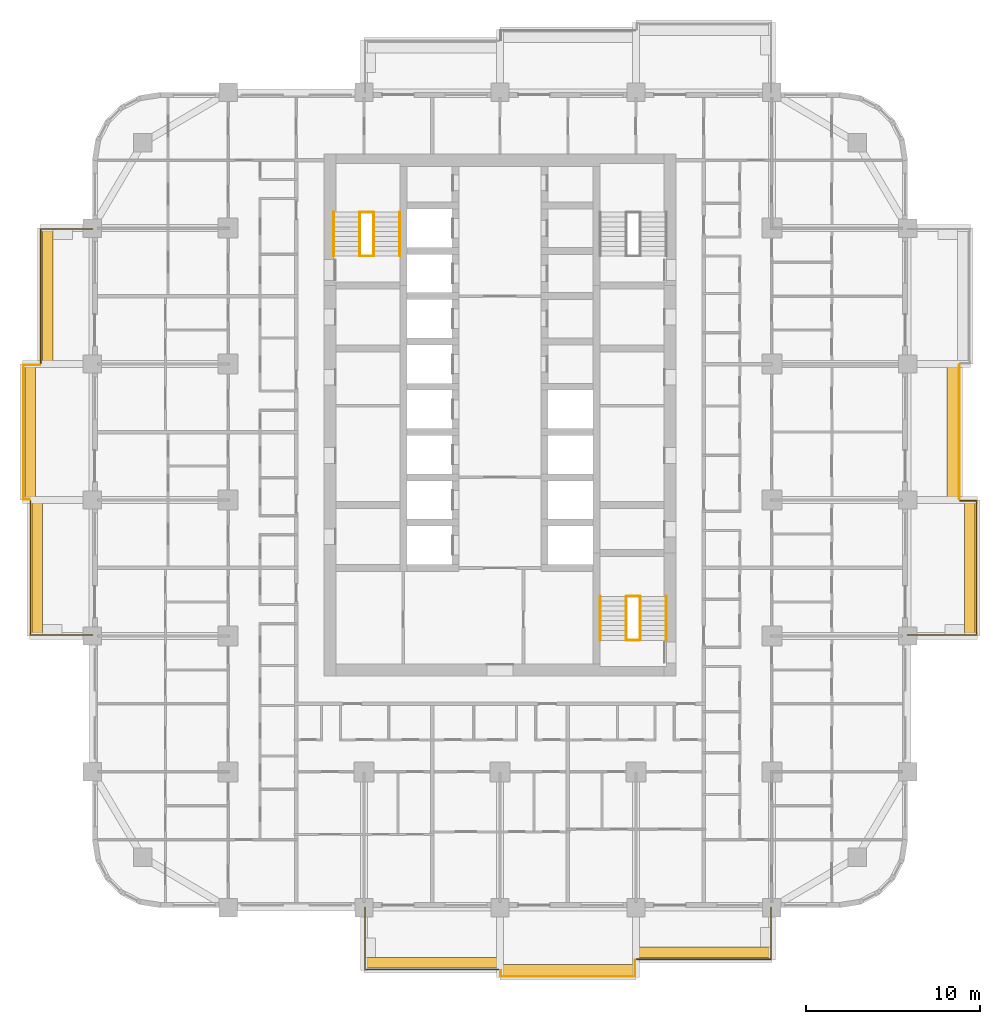
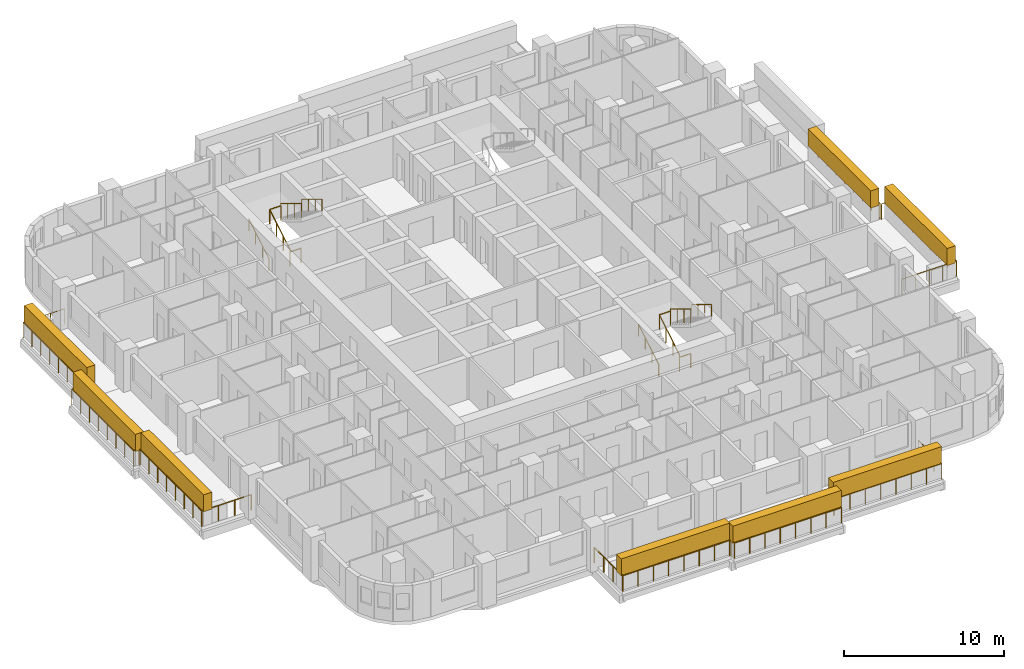
# One storey, part 16 of 17: 20 railings, 8 coverings, 2 elements without a shape of their own.
"""IFC4 building model written with IfcOpenShell, lengths in metres."""

from ifc_helpers import new_model, si_unit, direction, frame, origin, origin_2d, place, context, subcontext, project, spatial, rectangle, circle, extrude, material, layer, layer_set, type_object, element, aggregate, save


model = new_model("IFC4")

# Units and contexts
model_context = context("Model", 3, precision=1e-05, world=origin(), true_north=direction((0.0, 1.0)))
body_context = subcontext(model_context, "Body", "Model", "MODEL_VIEW")
ifc_project = project(units=[si_unit("LENGTHUNIT", "METRE"), si_unit("AREAUNIT", "SQUARE_METRE"), si_unit("VOLUMEUNIT", "CUBIC_METRE"), si_unit("PLANEANGLEUNIT", "RADIAN"), si_unit("MASSUNIT", "GRAM", prefix="KILO")], contexts=[model_context])

# Site, building, storey
site_placement = place(None, origin())
site = spatial("IfcSite", under=ifc_project, at=site_placement, CompositionType="ELEMENT")
building_placement = place(site_placement, origin())
building = spatial("IfcBuilding", under=site, at=building_placement, Name="Ludao Terraces", CompositionType="ELEMENT")
storey_placement = place(building_placement, frame((0.0, 0.0, 39.89990234375)))
storey = spatial("IfcBuildingStorey", under=building, at=storey_placement, Name="L10", CompositionType="ELEMENT", Elevation=39.89990234375)

# Railings
ifc_material_1 = material(Name="Stainless steel 304", Category="steel")
railing_type_1 = type_object("IfcRailingType", Name="ENV Balcony glass guard 1200", PredefinedType="GUARDRAIL", material=ifc_material_1)
railing_1_placement = place(storey_placement, frame((77.25, 41.60009765625, 0.0)))
element("IfcRailing", 1, at=railing_1_placement, inside=storey, type_object=railing_type_1, Name="Balcony guard L10 S2", PredefinedType="GUARDRAIL", context=body_context, shape_type="SweptSolid", body=[
    extrude(circle(Radius=0.02392578125, at=origin_2d()), frame((0.0, 0.0, 1.17578125), z_axis=(0.0, -1.0, 0.0), x_axis=(1.0, 0.0, 0.0)), (0.0, 0.0, 1.0), 3.550048828125),
    extrude(circle(Radius=0.02392578125, at=origin_2d()), frame((0.0, -3.550048828125, 1.17578125), z_axis=(1.0, 0.0, 0.0), x_axis=(0.0, 1.0, 0.0)), (0.0, 0.0, 1.0), 7.699951171875),
    extrude(circle(Radius=0.02099609375, at=origin_2d()), origin(), (0.0, 0.0, 1.0), 1.15185546875),
    extrude(circle(Radius=0.02099609375, at=origin_2d()), frame((0.0, -1.183349609375, 0.0)), (0.0, 0.0, 1.0), 1.15185546875),
    extrude(circle(Radius=0.02099609375, at=origin_2d()), frame((0.0, -2.36669921875, 0.0)), (0.0, 0.0, 1.0), 1.15185546875),
    extrude(circle(Radius=0.02099609375, at=origin_2d()), frame((0.0, -3.550048828125, 0.0)), (0.0, 0.0, 1.0), 1.15185546875),
    extrude(circle(Radius=0.02099609375, at=origin_2d()), frame((1.10009765625, -3.550048828125, 0.0)), (0.0, 0.0, 1.0), 1.15185546875),
    extrude(circle(Radius=0.02099609375, at=origin_2d()), frame((2.199951171875, -3.550048828125, 0.0)), (0.0, 0.0, 1.0), 1.15185546875),
    extrude(circle(Radius=0.02099609375, at=origin_2d()), frame((3.300048828125, -3.550048828125, 0.0)), (0.0, 0.0, 1.0), 1.15185546875),
    extrude(circle(Radius=0.02099609375, at=origin_2d()), frame((4.39990234375, -3.550048828125, 0.0)), (0.0, 0.0, 1.0), 1.15185546875),
    extrude(circle(Radius=0.02099609375, at=origin_2d()), frame((5.5, -3.550048828125, 0.0)), (0.0, 0.0, 1.0), 1.15185546875),
    extrude(circle(Radius=0.02099609375, at=origin_2d()), frame((6.599853515625, -3.550048828125, 0.0)), (0.0, 0.0, 1.0), 1.15185546875),
    extrude(circle(Radius=0.02099609375, at=origin_2d()), frame((7.699951171875, -3.550048828125, 0.0)), (0.0, 0.0, 1.0), 1.15185546875),
])
railing_2_placement = place(storey_placement, frame((85.050048828125, 38.0, 0.0)))
element("IfcRailing", 2, at=railing_2_placement, inside=storey, type_object=railing_type_1, Name="Balcony guard L10 S3", PredefinedType="GUARDRAIL", context=body_context, shape_type="SweptSolid", body=[
    extrude(circle(Radius=0.02392578125, at=origin_2d()), frame((0.0, 0.0, 1.17578125), z_axis=(0.0, -1.0, 0.0), x_axis=(1.0, 0.0, 0.0)), (0.0, 0.0, 1.0), 0.35009765625),
    extrude(circle(Radius=0.02392578125, at=origin_2d()), frame((0.0, -0.35009765625, 1.17578125), z_axis=(1.0, 0.0, 0.0), x_axis=(0.0, 1.0, 0.0)), (0.0, 0.0, 1.0), 7.699951171875),
    extrude(circle(Radius=0.02392578125, at=origin_2d()), frame((7.699951171875, -0.35009765625, 1.17578125), z_axis=(0.0, 1.0, 0.0), x_axis=(-1.0, 0.0, 0.0)), (0.0, 0.0, 1.0), 0.9501953125),
    extrude(circle(Radius=0.02099609375, at=origin_2d()), origin(), (0.0, 0.0, 1.0), 1.15185546875),
    extrude(circle(Radius=0.02099609375, at=origin_2d()), frame((0.0, -0.35009765625, 0.0)), (0.0, 0.0, 1.0), 1.15185546875),
    extrude(circle(Radius=0.02099609375, at=origin_2d()), frame((1.10009765625, -0.35009765625, 0.0)), (0.0, 0.0, 1.0), 1.15185546875),
    extrude(circle(Radius=0.02099609375, at=origin_2d()), frame((2.199951171875, -0.35009765625, 0.0)), (0.0, 0.0, 1.0), 1.15185546875),
    extrude(circle(Radius=0.02099609375, at=origin_2d()), frame((3.300048828125, -0.35009765625, 0.0)), (0.0, 0.0, 1.0), 1.15185546875),
    extrude(circle(Radius=0.02099609375, at=origin_2d()), frame((4.39990234375, -0.35009765625, 0.0)), (0.0, 0.0, 1.0), 1.15185546875),
    extrude(circle(Radius=0.02099609375, at=origin_2d()), frame((5.5, -0.35009765625, 0.0)), (0.0, 0.0, 1.0), 1.15185546875),
    extrude(circle(Radius=0.02099609375, at=origin_2d()), frame((6.599853515625, -0.35009765625, 0.0)), (0.0, 0.0, 1.0), 1.15185546875),
    extrude(circle(Radius=0.02099609375, at=origin_2d()), frame((7.699951171875, -0.35009765625, 0.0)), (0.0, 0.0, 1.0), 1.15185546875),
    extrude(circle(Radius=0.02099609375, at=origin_2d()), frame((7.699951171875, 0.60009765625, 0.0)), (0.0, 0.0, 1.0), 1.15185546875),
])
railing_3_placement = place(storey_placement, frame((92.85009765625, 38.64990234375, 0.0)))
element("IfcRailing", 3, at=railing_3_placement, inside=storey, type_object=railing_type_1, Name="Balcony guard L10 S4", PredefinedType="GUARDRAIL", context=body_context, shape_type="SweptSolid", body=[
    extrude(circle(Radius=0.02392578125, at=origin_2d()), frame((0.0, 0.0, 1.17578125), z_axis=(1.0, 0.0, 0.0), x_axis=(0.0, 1.0, 0.0)), (0.0, 0.0, 1.0), 7.699951171875),
    extrude(circle(Radius=0.02392578125, at=origin_2d()), frame((7.699951171875, 0.0, 1.17578125), z_axis=(0.0, 1.0, 0.0), x_axis=(-1.0, 0.0, 0.0)), (0.0, 0.0, 1.0), 2.9501953125),
    extrude(circle(Radius=0.02099609375, at=origin_2d()), origin(), (0.0, 0.0, 1.0), 1.15185546875),
    extrude(circle(Radius=0.02099609375, at=origin_2d()), frame((1.10009765625, 0.0, 0.0)), (0.0, 0.0, 1.0), 1.15185546875),
    extrude(circle(Radius=0.02099609375, at=origin_2d()), frame((2.199951171875, 0.0, 0.0)), (0.0, 0.0, 1.0), 1.15185546875),
    extrude(circle(Radius=0.02099609375, at=origin_2d()), frame((3.300048828125, 0.0, 0.0)), (0.0, 0.0, 1.0), 1.15185546875),
    extrude(circle(Radius=0.02099609375, at=origin_2d()), frame((4.39990234375, 0.0, 0.0)), (0.0, 0.0, 1.0), 1.15185546875),
    extrude(circle(Radius=0.02099609375, at=origin_2d()), frame((5.5, 0.0, 0.0)), (0.0, 0.0, 1.0), 1.15185546875),
    extrude(circle(Radius=0.02099609375, at=origin_2d()), frame((6.599853515625, 0.0, 0.0)), (0.0, 0.0, 1.0), 1.15185546875),
    extrude(circle(Radius=0.02099609375, at=origin_2d()), frame((7.699951171875, 0.0, 0.0)), (0.0, 0.0, 1.0), 1.15185546875),
    extrude(circle(Radius=0.02099609375, at=origin_2d()), frame((7.699951171875, 0.9833984375, 0.0)), (0.0, 0.0, 1.0), 1.15185546875),
    extrude(circle(Radius=0.02099609375, at=origin_2d()), frame((7.699951171875, 1.966796875, 0.0)), (0.0, 0.0, 1.0), 1.15185546875),
    extrude(circle(Radius=0.02099609375, at=origin_2d()), frame((7.699951171875, 2.9501953125, 0.0)), (0.0, 0.0, 1.0), 1.15185546875),
])
railing_4_placement = place(storey_placement, frame((108.39990234375, 57.25, 0.0)))
element("IfcRailing", 4, at=railing_4_placement, inside=storey, type_object=railing_type_1, Name="Balcony guard L10 E2", PredefinedType="GUARDRAIL", context=body_context, shape_type="SweptSolid", body=[
    extrude(circle(Radius=0.02392578125, at=origin_2d()), frame((0.0, 0.0, 1.17578125), z_axis=(1.0, 0.0, 0.0), x_axis=(0.0, 1.0, 0.0)), (0.0, 0.0, 1.0), 3.9501953125),
    extrude(circle(Radius=0.02392578125, at=origin_2d()), frame((3.9501953125, 0.0, 1.17578125), z_axis=(0.0, 1.0, 0.0), x_axis=(-1.0, 0.0, 0.0)), (0.0, 0.0, 1.0), 7.699951171875),
    extrude(circle(Radius=0.02392578125, at=origin_2d()), frame((3.9501953125, 7.699951171875, 1.17578125), z_axis=(-1.0, 0.0, 0.0), x_axis=(0.0, -1.0, 0.0)), (0.0, 0.0, 1.0), 0.9501953125),
    extrude(circle(Radius=0.02099609375, at=origin_2d()), origin(), (0.0, 0.0, 1.0), 1.15185546875),
    extrude(circle(Radius=0.02099609375, at=origin_2d()), frame((0.987548828125, 0.0, 0.0)), (0.0, 0.0, 1.0), 1.15185546875),
    extrude(circle(Radius=0.02099609375, at=origin_2d()), frame((1.97509765625, 0.0, 0.0)), (0.0, 0.0, 1.0), 1.15185546875),
    extrude(circle(Radius=0.02099609375, at=origin_2d()), frame((2.962646484375, 0.0, 0.0)), (0.0, 0.0, 1.0), 1.15185546875),
    extrude(circle(Radius=0.02099609375, at=origin_2d()), frame((3.9501953125, 0.0, 0.0)), (0.0, 0.0, 1.0), 1.15185546875),
    extrude(circle(Radius=0.02099609375, at=origin_2d()), frame((3.9501953125, 1.10009765625, 0.0)), (0.0, 0.0, 1.0), 1.15185546875),
    extrude(circle(Radius=0.02099609375, at=origin_2d()), frame((3.9501953125, 2.199951171875, 0.0)), (0.0, 0.0, 1.0), 1.15185546875),
    extrude(circle(Radius=0.02099609375, at=origin_2d()), frame((3.9501953125, 3.300048828125, 0.0)), (0.0, 0.0, 1.0), 1.15185546875),
    extrude(circle(Radius=0.02099609375, at=origin_2d()), frame((3.9501953125, 4.39990234375, 0.0)), (0.0, 0.0, 1.0), 1.15185546875),
    extrude(circle(Radius=0.02099609375, at=origin_2d()), frame((3.9501953125, 5.5, 0.0)), (0.0, 0.0, 1.0), 1.15185546875),
    extrude(circle(Radius=0.02099609375, at=origin_2d()), frame((3.9501953125, 6.599853515625, 0.0)), (0.0, 0.0, 1.0), 1.15185546875),
    extrude(circle(Radius=0.02099609375, at=origin_2d()), frame((3.9501953125, 7.699951171875, 0.0)), (0.0, 0.0, 1.0), 1.15185546875),
    extrude(circle(Radius=0.02099609375, at=origin_2d()), frame((3.0, 7.699951171875, 0.0)), (0.0, 0.0, 1.0), 1.15185546875),
])
railing_5_placement = place(storey_placement, frame((111.35009765625, 65.050048828125, 0.0)))
element("IfcRailing", 5, at=railing_5_placement, inside=storey, type_object=railing_type_1, Name="Balcony guard L10 E3", PredefinedType="GUARDRAIL", context=body_context, shape_type="SweptSolid", body=[
    extrude(circle(Radius=0.02392578125, at=origin_2d()), frame((0.0, 0.0, 1.17578125), z_axis=(0.0, 1.0, 0.0), x_axis=(-1.0, 0.0, 0.0)), (0.0, 0.0, 1.0), 7.699951171875),
    extrude(circle(Radius=0.02099609375, at=origin_2d()), origin(), (0.0, 0.0, 1.0), 1.15185546875),
    extrude(circle(Radius=0.02099609375, at=origin_2d()), frame((0.0, 1.10009765625, 0.0)), (0.0, 0.0, 1.0), 1.15185546875),
    extrude(circle(Radius=0.02099609375, at=origin_2d()), frame((0.0, 2.199951171875, 0.0)), (0.0, 0.0, 1.0), 1.15185546875),
    extrude(circle(Radius=0.02099609375, at=origin_2d()), frame((0.0, 3.300048828125, 0.0)), (0.0, 0.0, 1.0), 1.15185546875),
    extrude(circle(Radius=0.02099609375, at=origin_2d()), frame((0.0, 4.39990234375, 0.0)), (0.0, 0.0, 1.0), 1.15185546875),
    extrude(circle(Radius=0.02099609375, at=origin_2d()), frame((0.0, 5.5, 0.0)), (0.0, 0.0, 1.0), 1.15185546875),
    extrude(circle(Radius=0.02099609375, at=origin_2d()), frame((0.0, 6.599853515625, 0.0)), (0.0, 0.0, 1.0), 1.15185546875),
    extrude(circle(Radius=0.02099609375, at=origin_2d()), frame((0.0, 7.699951171875, 0.0)), (0.0, 0.0, 1.0), 1.15185546875),
])
railing_6_placement = place(storey_placement, frame((61.60009765625, 57.25, 0.0)))
element("IfcRailing", 6, at=railing_6_placement, inside=storey, type_object=railing_type_1, Name="Balcony guard L10 W2", PredefinedType="GUARDRAIL", context=body_context, shape_type="SweptSolid", body=[
    extrude(circle(Radius=0.02392578125, at=origin_2d()), frame((0.0, 0.0, 1.17578125), z_axis=(-1.0, 0.0, 0.0), x_axis=(0.0, -1.0, 0.0)), (0.0, 0.0, 1.0), 3.550048828125),
    extrude(circle(Radius=0.02392578125, at=origin_2d()), frame((-3.550048828125, 0.0, 1.17578125), z_axis=(0.0, 1.0, 0.0), x_axis=(-1.0, 0.0, 0.0)), (0.0, 0.0, 1.0), 7.699951171875),
    extrude(circle(Radius=0.02099609375, at=origin_2d()), origin(), (0.0, 0.0, 1.0), 1.15185546875),
    extrude(circle(Radius=0.02099609375, at=origin_2d()), frame((-1.183349609375, 0.0, 0.0)), (0.0, 0.0, 1.0), 1.15185546875),
    extrude(circle(Radius=0.02099609375, at=origin_2d()), frame((-2.36669921875, 0.0, 0.0)), (0.0, 0.0, 1.0), 1.15185546875),
    extrude(circle(Radius=0.02099609375, at=origin_2d()), frame((-3.550048828125, 0.0, 0.0)), (0.0, 0.0, 1.0), 1.15185546875),
    extrude(circle(Radius=0.02099609375, at=origin_2d()), frame((-3.550048828125, 1.10009765625, 0.0)), (0.0, 0.0, 1.0), 1.15185546875),
    extrude(circle(Radius=0.02099609375, at=origin_2d()), frame((-3.550048828125, 2.199951171875, 0.0)), (0.0, 0.0, 1.0), 1.15185546875),
    extrude(circle(Radius=0.02099609375, at=origin_2d()), frame((-3.550048828125, 3.300048828125, 0.0)), (0.0, 0.0, 1.0), 1.15185546875),
    extrude(circle(Radius=0.02099609375, at=origin_2d()), frame((-3.550048828125, 4.39990234375, 0.0)), (0.0, 0.0, 1.0), 1.15185546875),
    extrude(circle(Radius=0.02099609375, at=origin_2d()), frame((-3.550048828125, 5.5, 0.0)), (0.0, 0.0, 1.0), 1.15185546875),
    extrude(circle(Radius=0.02099609375, at=origin_2d()), frame((-3.550048828125, 6.599853515625, 0.0)), (0.0, 0.0, 1.0), 1.15185546875),
    extrude(circle(Radius=0.02099609375, at=origin_2d()), frame((-3.550048828125, 7.699951171875, 0.0)), (0.0, 0.0, 1.0), 1.15185546875),
])
railing_7_placement = place(storey_placement, frame((58.0, 65.050048828125, 0.0)))
element("IfcRailing", 7, at=railing_7_placement, inside=storey, type_object=railing_type_1, Name="Balcony guard L10 W3", PredefinedType="GUARDRAIL", context=body_context, shape_type="SweptSolid", body=[
    extrude(circle(Radius=0.02392578125, at=origin_2d()), frame((0.0, 0.0, 1.17578125), z_axis=(-1.0, 0.0, 0.0), x_axis=(0.0, -1.0, 0.0)), (0.0, 0.0, 1.0), 0.35009765625),
    extrude(circle(Radius=0.02392578125, at=origin_2d()), frame((-0.35009765625, 0.0, 1.17578125), z_axis=(0.0, 1.0, 0.0), x_axis=(-1.0, 0.0, 0.0)), (0.0, 0.0, 1.0), 7.699951171875),
    extrude(circle(Radius=0.02392578125, at=origin_2d()), frame((-0.35009765625, 7.699951171875, 1.17578125), z_axis=(1.0, 0.0, 0.0), x_axis=(0.0, 1.0, 0.0)), (0.0, 0.0, 1.0), 0.9501953125),
    extrude(circle(Radius=0.02099609375, at=origin_2d()), origin(), (0.0, 0.0, 1.0), 1.15185546875),
    extrude(circle(Radius=0.02099609375, at=origin_2d()), frame((-0.35009765625, 0.0, 0.0)), (0.0, 0.0, 1.0), 1.15185546875),
    extrude(circle(Radius=0.02099609375, at=origin_2d()), frame((-0.35009765625, 1.10009765625, 0.0)), (0.0, 0.0, 1.0), 1.15185546875),
    extrude(circle(Radius=0.02099609375, at=origin_2d()), frame((-0.35009765625, 2.199951171875, 0.0)), (0.0, 0.0, 1.0), 1.15185546875),
    extrude(circle(Radius=0.02099609375, at=origin_2d()), frame((-0.35009765625, 3.300048828125, 0.0)), (0.0, 0.0, 1.0), 1.15185546875),
    extrude(circle(Radius=0.02099609375, at=origin_2d()), frame((-0.35009765625, 4.39990234375, 0.0)), (0.0, 0.0, 1.0), 1.15185546875),
    extrude(circle(Radius=0.02099609375, at=origin_2d()), frame((-0.35009765625, 5.5, 0.0)), (0.0, 0.0, 1.0), 1.15185546875),
    extrude(circle(Radius=0.02099609375, at=origin_2d()), frame((-0.35009765625, 6.599853515625, 0.0)), (0.0, 0.0, 1.0), 1.15185546875),
    extrude(circle(Radius=0.02099609375, at=origin_2d()), frame((-0.35009765625, 7.699951171875, 0.0)), (0.0, 0.0, 1.0), 1.15185546875),
    extrude(circle(Radius=0.02099609375, at=origin_2d()), frame((0.60009765625, 7.699951171875, 0.0)), (0.0, 0.0, 1.0), 1.15185546875),
])
railing_8_placement = place(storey_placement, frame((58.64990234375, 72.85009765625, 0.0)))
element("IfcRailing", 8, at=railing_8_placement, inside=storey, type_object=railing_type_1, Name="Balcony guard L10 W4", PredefinedType="GUARDRAIL", context=body_context, shape_type="SweptSolid", body=[
    extrude(circle(Radius=0.02392578125, at=origin_2d()), frame((0.0, 0.0, 1.17578125), z_axis=(0.0, 1.0, 0.0), x_axis=(-1.0, 0.0, 0.0)), (0.0, 0.0, 1.0), 7.699951171875),
    extrude(circle(Radius=0.02392578125, at=origin_2d()), frame((0.0, 7.699951171875, 1.17578125), z_axis=(1.0, 0.0, 0.0), x_axis=(0.0, 1.0, 0.0)), (0.0, 0.0, 1.0), 2.9501953125),
    extrude(circle(Radius=0.02099609375, at=origin_2d()), origin(), (0.0, 0.0, 1.0), 1.15185546875),
    extrude(circle(Radius=0.02099609375, at=origin_2d()), frame((0.0, 1.10009765625, 0.0)), (0.0, 0.0, 1.0), 1.15185546875),
    extrude(circle(Radius=0.02099609375, at=origin_2d()), frame((0.0, 2.199951171875, 0.0)), (0.0, 0.0, 1.0), 1.15185546875),
    extrude(circle(Radius=0.02099609375, at=origin_2d()), frame((0.0, 3.300048828125, 0.0)), (0.0, 0.0, 1.0), 1.15185546875),
    extrude(circle(Radius=0.02099609375, at=origin_2d()), frame((0.0, 4.39990234375, 0.0)), (0.0, 0.0, 1.0), 1.15185546875),
    extrude(circle(Radius=0.02099609375, at=origin_2d()), frame((0.0, 5.5, 0.0)), (0.0, 0.0, 1.0), 1.15185546875),
    extrude(circle(Radius=0.02099609375, at=origin_2d()), frame((0.0, 6.599853515625, 0.0)), (0.0, 0.0, 1.0), 1.15185546875),
    extrude(circle(Radius=0.02099609375, at=origin_2d()), frame((0.0, 7.699951171875, 0.0)), (0.0, 0.0, 1.0), 1.15185546875),
    extrude(circle(Radius=0.02099609375, at=origin_2d()), frame((0.9833984375, 7.699951171875, 0.0)), (0.0, 0.0, 1.0), 1.15185546875),
    extrude(circle(Radius=0.02099609375, at=origin_2d()), frame((1.966796875, 7.699951171875, 0.0)), (0.0, 0.0, 1.0), 1.15185546875),
    extrude(circle(Radius=0.02099609375, at=origin_2d()), frame((2.9501953125, 7.699951171875, 0.0)), (0.0, 0.0, 1.0), 1.15185546875),
])

# Coverings
ifc_material_2 = material(Name="Planting")
ifc_layer = layer(ifc_material_2, 0.60009765625)
ifc_layer_set = layer_set([ifc_layer], Name="ENV Planting hedge 600x1300")
covering_type = type_object("IfcCoveringType", Name="ENV Planting hedge 600x1300", PredefinedType="USERDEFINED", material=ifc_layer_set)
for number, where, z_axis, x_axis, name in (
    (9, (81.10009765625, 38.449951171875, 1.10009765625), (0.0, 0.0, 1.0), (1.0, 0.0, 0.0), "Planting hedge L10-S2"),
    (10, (88.89990234375, 38.050048828125, 1.10009765625), (0.0, 0.0, 1.0), (1.0, 0.0, 0.0), "Planting hedge L10-S3"),
    (11, (96.699951171875, 39.050048828125, 1.10009765625), (0.0, 0.0, 1.0), (1.0, 0.0, 0.0), "Planting hedge L10-S4"),
):
    element("IfcCovering", number, at=place(storey_placement, frame(where, z_axis=z_axis, x_axis=x_axis)), inside=storey, type_object=covering_type, Name=name, ObjectType="PLANTING", PredefinedType="USERDEFINED", context=body_context, shape_type="SweptSolid", body=[
        extrude(rectangle(XDim=7.800048828125, YDim=0.60009765625, at=origin_2d()), origin(), (0.0, 0.0, 1.0), 1.300048828125),
    ])
for number, where, z_axis, x_axis, name in (
    (12, (111.949951171875, 61.10009765625, 1.10009765625), (0.0, 0.0, 1.0), (1.0, 0.0, 0.0), "Planting hedge L10-E2"),
    (13, (110.949951171875, 68.89990234375, 1.10009765625), (0.0, 0.0, 1.0), (1.0, 0.0, 0.0), "Planting hedge L10-E3"),
    (14, (58.449951171875, 61.10009765625, 1.10009765625), (0.0, 0.0, 1.0), (1.0, 0.0, 0.0), "Planting hedge L10-W2"),
    (15, (58.050048828125, 68.89990234375, 1.10009765625), (0.0, 0.0, 1.0), (1.0, 0.0, 0.0), "Planting hedge L10-W3"),
    (16, (59.050048828125, 76.699951171875, 1.10009765625), (0.0, 0.0, 1.0), (1.0, 0.0, 0.0), "Planting hedge L10-W4"),
):
    element("IfcCovering", number, at=place(storey_placement, frame(where, z_axis=z_axis, x_axis=x_axis)), inside=storey, type_object=covering_type, Name=name, ObjectType="PLANTING", PredefinedType="USERDEFINED", context=body_context, shape_type="SweptSolid", body=[
        extrude(rectangle(XDim=0.60009765625, YDim=7.800048828125, at=origin_2d()), origin(), (0.0, 0.0, 1.0), 1.300048828125),
    ])

# Stair, railings
ifc_material_3 = material(Name="Concrete C40", Category="concrete")
stair_type = type_object("IfcStairType", Name="INT Stair", PredefinedType="HALF_TURN_STAIR", material=ifc_material_3)
stair_1_placement = place(storey_placement, origin())
stair_1 = element("IfcStair", 17, at=stair_1_placement, inside=storey, type_object=stair_type, Name="EXIT STAIR 1", PredefinedType="HALF_TURN_STAIR")
railing_type_2 = type_object("IfcRailingType", Name="INT Stair guard 1100", PredefinedType="GUARDRAIL", material=ifc_material_1)
railing_9_placement = place(storey_placement, frame((76.949951171875, 79.0, 0.170166015625)))
railing_9 = element("IfcRailing", 18, at=railing_9_placement, type_object=railing_type_2, Name="ST-L10-S1-R1G", PredefinedType="GUARDRAIL", context=body_context, shape_type="SweptSolid", body=[
    extrude(circle(Radius=0.02392578125, at=origin_2d()), frame((0.0, 0.0, 1.076171875), z_axis=(0.0, 0.85478489116, 0.518982456201), x_axis=(-1.0, 0.0, 0.0)), (0.0, 0.0, 1.0), 2.9482421875),
    extrude(circle(Radius=0.02099609375, at=origin_2d()), origin(), (0.0, 0.0, 1.0), 1.052001953125),
    extrude(circle(Radius=0.02099609375, at=origin_2d()), frame((0.0, 0.840087890625, 0.510009765625)), (0.0, 0.0, 1.0), 1.052001953125),
    extrude(circle(Radius=0.02099609375, at=origin_2d()), frame((0.0, 1.679931640625, 1.02001953125)), (0.0, 0.0, 1.0), 1.052001953125),
    extrude(circle(Radius=0.02099609375, at=origin_2d()), frame((0.0, 2.52001953125, 1.530029296875)), (0.0, 0.0, 1.0), 1.052001953125),
])
railing_10_placement = place(storey_placement, frame((77.75, 81.52001953125, 1.8701171875)))
railing_10 = element("IfcRailing", 19, at=railing_10_placement, type_object=railing_type_2, Name="ST-L10-S1-R2G", PredefinedType="GUARDRAIL", context=body_context, shape_type="SweptSolid", body=[
    extrude(circle(Radius=0.02392578125, at=origin_2d()), frame((0.0, 0.0, 1.076171875), z_axis=(0.0, -0.85478489116, 0.518982456201), x_axis=(1.0, 0.0, 0.0)), (0.0, 0.0, 1.0), 2.9482421875),
    extrude(circle(Radius=0.02099609375, at=origin_2d()), origin(), (0.0, 0.0, 1.0), 1.052001953125),
    extrude(circle(Radius=0.02099609375, at=origin_2d()), frame((0.0, -0.840087890625, 0.510009765625)), (0.0, 0.0, 1.0), 1.052001953125),
    extrude(circle(Radius=0.02099609375, at=origin_2d()), frame((0.0, -1.679931640625, 1.02001953125)), (0.0, 0.0, 1.0), 1.052001953125),
    extrude(circle(Radius=0.02099609375, at=origin_2d()), frame((0.0, -2.52001953125, 1.530029296875)), (0.0, 0.0, 1.0), 1.052001953125),
])
railing_11_placement = place(storey_placement, frame((76.949951171875, 81.52001953125, 1.7001953125)))
railing_11 = element("IfcRailing", 20, at=railing_11_placement, type_object=railing_type_2, Name="ST-L10-S1-E1G", PredefinedType="GUARDRAIL", context=body_context, shape_type="SweptSolid", body=[
    extrude(circle(Radius=0.02392578125, at=origin_2d()), frame((0.0, 0.0, 1.076171875), z_axis=(1.0, 0.0, 0.0), x_axis=(0.0, 1.0, 0.0)), (0.0, 0.0, 1.0), 0.800048828125),
    extrude(circle(Radius=0.02099609375, at=origin_2d()), origin(), (0.0, 0.0, 1.0), 1.052001953125),
    extrude(circle(Radius=0.02099609375, at=origin_2d()), frame((0.800048828125, 0.0, 0.0)), (0.0, 0.0, 1.0), 1.052001953125),
])
railing_12_placement = place(storey_placement, frame((76.949951171875, 79.0, 0.0)))
railing_12 = element("IfcRailing", 21, at=railing_12_placement, type_object=railing_type_2, Name="ST-L10-S1-E2G", PredefinedType="GUARDRAIL", context=body_context, shape_type="SweptSolid", body=[
    extrude(circle(Radius=0.02392578125, at=origin_2d()), frame((0.0, 0.0, 1.076171875), z_axis=(1.0, 0.0, 0.0), x_axis=(0.0, 1.0, 0.0)), (0.0, 0.0, 1.0), 0.800048828125),
    extrude(circle(Radius=0.02099609375, at=origin_2d()), origin(), (0.0, 0.0, 1.0), 1.052001953125),
    extrude(circle(Radius=0.02099609375, at=origin_2d()), frame((0.800048828125, 0.0, 0.0)), (0.0, 0.0, 1.0), 1.052001953125),
])

stair_2_placement = place(storey_placement, origin())
stair_2 = element("IfcStair", 22, at=stair_2_placement, inside=storey, type_object=stair_type, Name="EXIT STAIR 3", PredefinedType="HALF_TURN_STAIR")
railing_13_placement = place(storey_placement, frame((92.25, 56.949951171875, 0.170166015625)))
railing_13 = element("IfcRailing", 23, at=railing_13_placement, type_object=railing_type_2, Name="ST-L10-S3-R1G", PredefinedType="GUARDRAIL", context=body_context, shape_type="SweptSolid", body=[
    extrude(circle(Radius=0.02392578125, at=origin_2d()), frame((0.0, 0.0, 1.076171875), z_axis=(0.0, 0.85478489116, 0.518982456201), x_axis=(-1.0, 0.0, 0.0)), (0.0, 0.0, 1.0), 2.9482421875),
    extrude(circle(Radius=0.02099609375, at=origin_2d()), origin(), (0.0, 0.0, 1.0), 1.052001953125),
    extrude(circle(Radius=0.02099609375, at=origin_2d()), frame((0.0, 0.840087890625, 0.510009765625)), (0.0, 0.0, 1.0), 1.052001953125),
    extrude(circle(Radius=0.02099609375, at=origin_2d()), frame((0.0, 1.679931640625, 1.02001953125)), (0.0, 0.0, 1.0), 1.052001953125),
    extrude(circle(Radius=0.02099609375, at=origin_2d()), frame((0.0, 2.52001953125, 1.530029296875)), (0.0, 0.0, 1.0), 1.052001953125),
])
railing_14_placement = place(storey_placement, frame((93.050048828125, 59.469970703125, 1.8701171875)))
railing_14 = element("IfcRailing", 24, at=railing_14_placement, type_object=railing_type_2, Name="ST-L10-S3-R2G", PredefinedType="GUARDRAIL", context=body_context, shape_type="SweptSolid", body=[
    extrude(circle(Radius=0.02392578125, at=origin_2d()), frame((0.0, 0.0, 1.076171875), z_axis=(0.0, -0.85478489116, 0.518982456201), x_axis=(1.0, 0.0, 0.0)), (0.0, 0.0, 1.0), 2.9482421875),
    extrude(circle(Radius=0.02099609375, at=origin_2d()), origin(), (0.0, 0.0, 1.0), 1.052001953125),
    extrude(circle(Radius=0.02099609375, at=origin_2d()), frame((0.0, -0.840087890625, 0.510009765625)), (0.0, 0.0, 1.0), 1.052001953125),
    extrude(circle(Radius=0.02099609375, at=origin_2d()), frame((0.0, -1.679931640625, 1.02001953125)), (0.0, 0.0, 1.0), 1.052001953125),
    extrude(circle(Radius=0.02099609375, at=origin_2d()), frame((0.0, -2.52001953125, 1.530029296875)), (0.0, 0.0, 1.0), 1.052001953125),
])
railing_15_placement = place(storey_placement, frame((92.25, 59.469970703125, 1.7001953125)))
railing_15 = element("IfcRailing", 25, at=railing_15_placement, type_object=railing_type_2, Name="ST-L10-S3-E1G", PredefinedType="GUARDRAIL", context=body_context, shape_type="SweptSolid", body=[
    extrude(circle(Radius=0.02392578125, at=origin_2d()), frame((0.0, 0.0, 1.076171875), z_axis=(1.0, 0.0, 0.0), x_axis=(0.0, 1.0, 0.0)), (0.0, 0.0, 1.0), 0.800048828125),
    extrude(circle(Radius=0.02099609375, at=origin_2d()), origin(), (0.0, 0.0, 1.0), 1.052001953125),
    extrude(circle(Radius=0.02099609375, at=origin_2d()), frame((0.800048828125, 0.0, 0.0)), (0.0, 0.0, 1.0), 1.052001953125),
])
railing_16_placement = place(storey_placement, frame((92.25, 56.949951171875, 0.0)))
railing_16 = element("IfcRailing", 26, at=railing_16_placement, type_object=railing_type_2, Name="ST-L10-S3-E2G", PredefinedType="GUARDRAIL", context=body_context, shape_type="SweptSolid", body=[
    extrude(circle(Radius=0.02392578125, at=origin_2d()), frame((0.0, 0.0, 1.076171875), z_axis=(1.0, 0.0, 0.0), x_axis=(0.0, 1.0, 0.0)), (0.0, 0.0, 1.0), 0.800048828125),
    extrude(circle(Radius=0.02099609375, at=origin_2d()), origin(), (0.0, 0.0, 1.0), 1.052001953125),
    extrude(circle(Radius=0.02099609375, at=origin_2d()), frame((0.800048828125, 0.0, 0.0)), (0.0, 0.0, 1.0), 1.052001953125),
])

# Railing
railing_type_3 = type_object("IfcRailingType", Name="INT Stair handrail 900", PredefinedType="HANDRAIL", material=ifc_material_1)
railing_17_placement = place(storey_placement, frame((75.449951171875, 79.0, 0.170166015625)))
railing_17 = element("IfcRailing", 27, at=railing_17_placement, type_object=railing_type_3, Name="ST-L10-S1-R1H", PredefinedType="HANDRAIL", context=body_context, shape_type="SweptSolid", body=[
    extrude(circle(Radius=0.02392578125, at=origin_2d()), frame((0.0, 0.0, 0.8759765625), z_axis=(0.0, 0.85478489116, 0.518982456201), x_axis=(-1.0, 0.0, 0.0)), (0.0, 0.0, 1.0), 2.9482421875),
    extrude(circle(Radius=0.02099609375, at=origin_2d()), origin(), (0.0, 0.0, 1.0), 0.851806640625),
    extrude(circle(Radius=0.02099609375, at=origin_2d()), frame((0.0, 0.840087890625, 0.510009765625)), (0.0, 0.0, 1.0), 0.851806640625),
    extrude(circle(Radius=0.02099609375, at=origin_2d()), frame((0.0, 1.679931640625, 1.02001953125)), (0.0, 0.0, 1.0), 0.851806640625),
    extrude(circle(Radius=0.02099609375, at=origin_2d()), frame((0.0, 2.52001953125, 1.530029296875)), (0.0, 0.0, 1.0), 0.851806640625),
])

railing_18_placement = place(storey_placement, frame((79.25, 81.52001953125, 1.8701171875)))
railing_18 = element("IfcRailing", 28, at=railing_18_placement, type_object=railing_type_3, Name="ST-L10-S1-R2H", PredefinedType="HANDRAIL", context=body_context, shape_type="SweptSolid", body=[
    extrude(circle(Radius=0.02392578125, at=origin_2d()), frame((0.0, 0.0, 0.8759765625), z_axis=(0.0, -0.85478489116, 0.518982456201), x_axis=(1.0, 0.0, 0.0)), (0.0, 0.0, 1.0), 2.9482421875),
    extrude(circle(Radius=0.02099609375, at=origin_2d()), origin(), (0.0, 0.0, 1.0), 0.851806640625),
    extrude(circle(Radius=0.02099609375, at=origin_2d()), frame((0.0, -0.840087890625, 0.510009765625)), (0.0, 0.0, 1.0), 0.851806640625),
    extrude(circle(Radius=0.02099609375, at=origin_2d()), frame((0.0, -1.679931640625, 1.02001953125)), (0.0, 0.0, 1.0), 0.851806640625),
    extrude(circle(Radius=0.02099609375, at=origin_2d()), frame((0.0, -2.52001953125, 1.530029296875)), (0.0, 0.0, 1.0), 0.851806640625),
])

aggregate(stair_1, [railing_9, railing_17, railing_10, railing_18, railing_11, railing_12])

railing_19_placement = place(storey_placement, frame((90.75, 56.949951171875, 0.170166015625)))
railing_19 = element("IfcRailing", 29, at=railing_19_placement, type_object=railing_type_3, Name="ST-L10-S3-R1H", PredefinedType="HANDRAIL", context=body_context, shape_type="SweptSolid", body=[
    extrude(circle(Radius=0.02392578125, at=origin_2d()), frame((0.0, 0.0, 0.8759765625), z_axis=(0.0, 0.85478489116, 0.518982456201), x_axis=(-1.0, 0.0, 0.0)), (0.0, 0.0, 1.0), 2.9482421875),
    extrude(circle(Radius=0.02099609375, at=origin_2d()), origin(), (0.0, 0.0, 1.0), 0.851806640625),
    extrude(circle(Radius=0.02099609375, at=origin_2d()), frame((0.0, 0.840087890625, 0.510009765625)), (0.0, 0.0, 1.0), 0.851806640625),
    extrude(circle(Radius=0.02099609375, at=origin_2d()), frame((0.0, 1.679931640625, 1.02001953125)), (0.0, 0.0, 1.0), 0.851806640625),
    extrude(circle(Radius=0.02099609375, at=origin_2d()), frame((0.0, 2.52001953125, 1.530029296875)), (0.0, 0.0, 1.0), 0.851806640625),
])

railing_20_placement = place(storey_placement, frame((94.550048828125, 59.469970703125, 1.8701171875)))
railing_20 = element("IfcRailing", 30, at=railing_20_placement, type_object=railing_type_3, Name="ST-L10-S3-R2H", PredefinedType="HANDRAIL", context=body_context, shape_type="SweptSolid", body=[
    extrude(circle(Radius=0.02392578125, at=origin_2d()), frame((0.0, 0.0, 0.8759765625), z_axis=(0.0, -0.85478489116, 0.518982456201), x_axis=(1.0, 0.0, 0.0)), (0.0, 0.0, 1.0), 2.9482421875),
    extrude(circle(Radius=0.02099609375, at=origin_2d()), origin(), (0.0, 0.0, 1.0), 0.851806640625),
    extrude(circle(Radius=0.02099609375, at=origin_2d()), frame((0.0, -0.840087890625, 0.510009765625)), (0.0, 0.0, 1.0), 0.851806640625),
    extrude(circle(Radius=0.02099609375, at=origin_2d()), frame((0.0, -1.679931640625, 1.02001953125)), (0.0, 0.0, 1.0), 0.851806640625),
    extrude(circle(Radius=0.02099609375, at=origin_2d()), frame((0.0, -2.52001953125, 1.530029296875)), (0.0, 0.0, 1.0), 0.851806640625),
])

aggregate(stair_2, [railing_13, railing_19, railing_14, railing_20, railing_15, railing_16])

save(model, "model.ifc")
